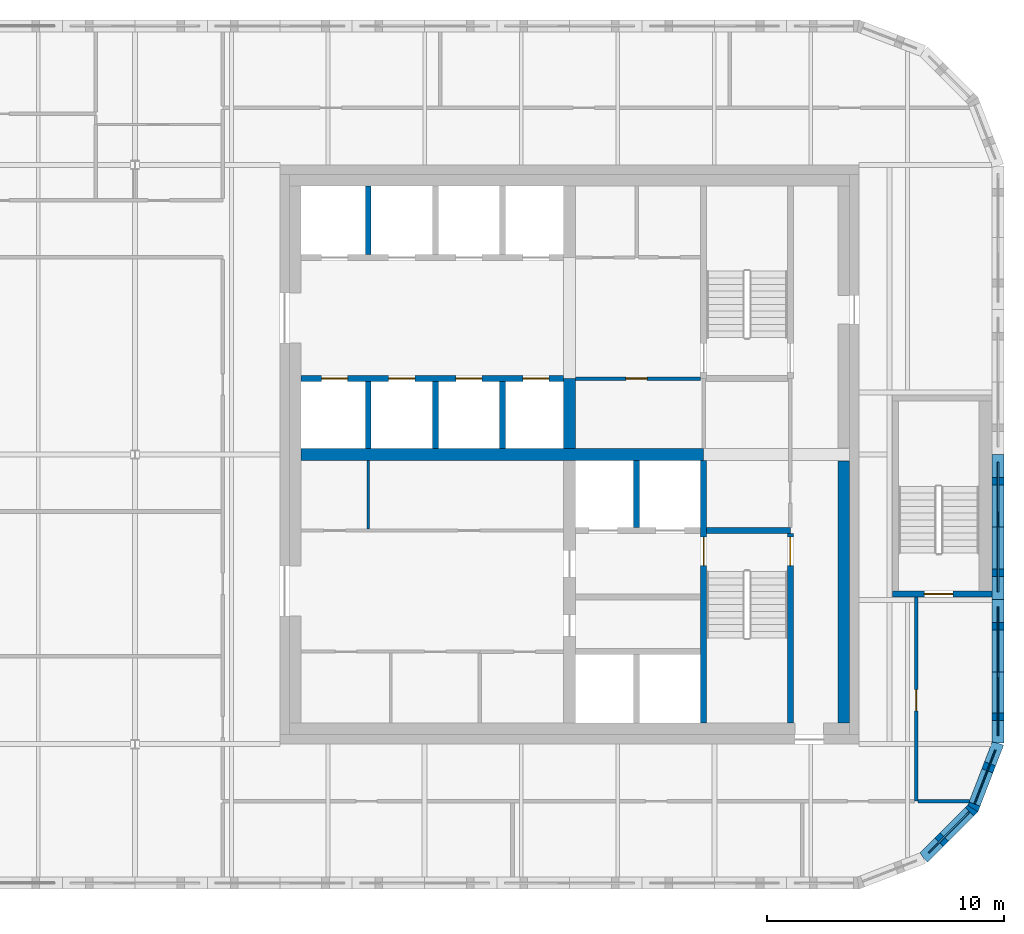
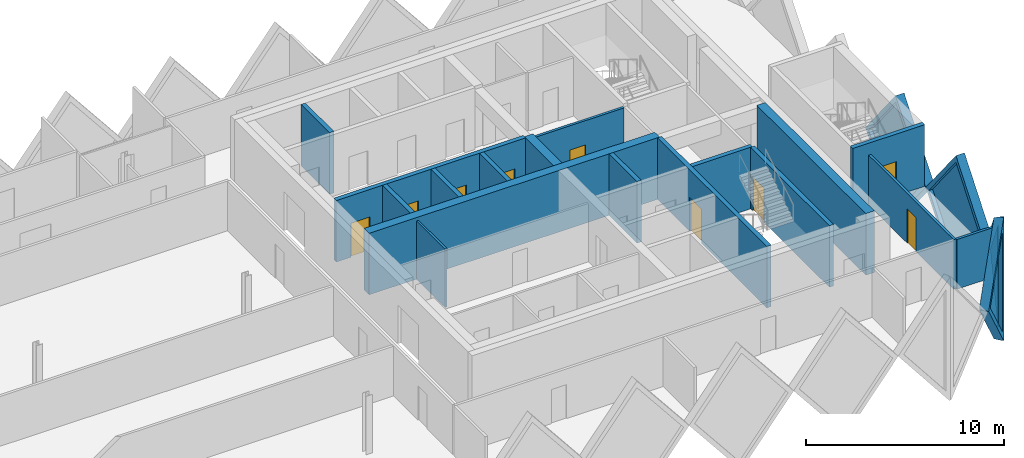
# One storey, part 6 of 10: 21 walls, 9 doors, 4 plates, 13 openings.
"""IFC4 building model written with IfcOpenShell, lengths in metres."""

from ifc_helpers import new_model, si_unit, direction, frame, frame_2d, origin, place, context, subcontext, project, spatial, polyline, rectangle, outline, extrude, faceted_brep, source, transform, mapped, material, layer, layer_set, type_object, element, fill, save


model = new_model("IFC4")

# Units and contexts
model_context = context("Model", 3, precision=1e-05, world=origin(), true_north=direction((0.0, 1.0)))
body_context = subcontext(model_context, "Body", "Model", "MODEL_VIEW")
ifc_project = project(units=[si_unit("LENGTHUNIT", "METRE"), si_unit("AREAUNIT", "SQUARE_METRE"), si_unit("VOLUMEUNIT", "CUBIC_METRE"), si_unit("PLANEANGLEUNIT", "RADIAN"), si_unit("MASSUNIT", "GRAM", prefix="KILO")], contexts=[model_context])

# Site, building, storey
site_placement = place(None, origin())
site = spatial("IfcSite", under=ifc_project, at=site_placement, CompositionType="ELEMENT")
building_placement = place(site_placement, origin())
building = spatial("IfcBuilding", under=site, at=building_placement, Name="Tessera Gate Towers", CompositionType="ELEMENT")
storey_placement = place(building_placement, frame((0.0, 0.0, 244.5)))
storey = spatial("IfcBuildingStorey", under=building, at=storey_placement, Name="L61", CompositionType="ELEMENT", Elevation=244.5)

# Wall, openings, doors
ifc_material_1 = material(Name="Concrete C40/50", Category="concrete")
ifc_layer_1 = layer(ifc_material_1, 0.25)
ifc_layer_set_1 = layer_set([ifc_layer_1], Name="CORE ENCLOSURE WALL 250")
wall_type_1 = type_object("IfcWallType", Name="CORE ENCLOSURE WALL 250", PredefinedType="SOLIDWALL", material=ifc_layer_set_1)
wall_1_placement = place(storey_placement, frame((31.39990234375, 39.800048828125, 0.0), z_axis=(0.0, 0.0, 1.0), x_axis=(1.0, 0.0, 0.0)))
wall_1 = element("IfcWall", 1, at=wall_1_placement, inside=storey, type_object=wall_type_1, Name="L61 shaft and stair enclosure wall", PredefinedType="SOLIDWALL", context=body_context, shape_type="SweptSolid", body=[
    extrude(rectangle(XDim=11.050048828125, YDim=0.25, at=frame_2d((5.52490234375, 0.0))), origin(), (0.0, 0.0, 1.0), 3.800048828125),
])
shared_shape_1 = source(origin(), body_context, "Body", "SweptSolid", [
    extrude(rectangle(XDim=1.10009765625, YDim=2.10009765625, at=frame_2d((0.550048828125, 1.050048828125))), frame((0.0, 0.135009765625, 0.0), z_axis=(0.0, -1.0, 0.0), x_axis=(1.0, 0.0, 0.0)), (0.0, 0.0, 1.0), 0.27001953125),
])
opening_1_placement = place(wall_1_placement, frame((0.862548828125, 0.0, 0.0)))
opening_1 = element("IfcOpeningElement", 2, at=opening_1_placement, cuts=wall_1, Name="Opening LD-HR1", PredefinedType="OPENING", context=body_context, shape_type="MappedRepresentation", body=[
    mapped(shared_shape_1, transform((0.0, 0.0, 0.0), scale=1.0)),
])
opening_2_placement = place(wall_1_placement, frame((3.6875, 0.0, 0.0)))
opening_2 = element("IfcOpeningElement", 3, at=opening_2_placement, cuts=wall_1, Name="Opening LD-HR2", PredefinedType="OPENING", context=body_context, shape_type="MappedRepresentation", body=[
    mapped(shared_shape_1, transform((0.0, 0.0, 0.0), scale=1.0)),
])
opening_3_placement = place(wall_1_placement, frame((6.512451171875, 0.0, 0.0)))
opening_3 = element("IfcOpeningElement", 4, at=opening_3_placement, cuts=wall_1, Name="Opening LD-HR3", PredefinedType="OPENING", context=body_context, shape_type="MappedRepresentation", body=[
    mapped(shared_shape_1, transform((0.0, 0.0, 0.0), scale=1.0)),
])
opening_4_placement = place(wall_1_placement, frame((9.33740234375, 0.0, 0.0)))
opening_4 = element("IfcOpeningElement", 5, at=opening_4_placement, cuts=wall_1, Name="Opening LD-HR4", PredefinedType="OPENING", context=body_context, shape_type="MappedRepresentation", body=[
    mapped(shared_shape_1, transform((0.0, 0.0, 0.0), scale=1.0)),
])
ifc_material_2 = material(Name="Stainless steel", Category="steel")
door_type_1 = type_object("IfcDoorType", Name="CORE DOOR LD 1100x2100", OperationType="DOUBLE_DOOR_SLIDING", PredefinedType="DOOR", material=ifc_material_2)
shared_shape_2 = source(origin(), body_context, "Body", "SweptSolid", [
    extrude(rectangle(XDim=1.10009765625, YDim=2.10009765625, at=frame_2d((0.550048828125, 1.050048828125))), frame((0.0, 0.02490234375, 0.0), z_axis=(0.0, -1.0, 0.0), x_axis=(1.0, 0.0, 0.0)), (0.0, 0.0, 1.0), 0.050048828125),
])
door_1_placement = place(opening_1_placement, origin())
door_1 = element("IfcDoor", 6, at=door_1_placement, inside=storey, type_object=door_type_1, Name="Landing door HR1 L61", OperationType="DOUBLE_DOOR_SLIDING", OverallHeight=2.10009765625, OverallWidth=1.10009765625, PredefinedType="DOOR", context=body_context, shape_type="MappedRepresentation", body=[
    mapped(shared_shape_2, transform((0.0, 0.0, 0.0), scale=1.0)),
])
fill(opening_1, door_1)
door_2_placement = place(opening_2_placement, origin())
door_2 = element("IfcDoor", 7, at=door_2_placement, inside=storey, type_object=door_type_1, Name="Landing door HR2 L61", OperationType="DOUBLE_DOOR_SLIDING", OverallHeight=2.10009765625, OverallWidth=1.10009765625, PredefinedType="DOOR", context=body_context, shape_type="MappedRepresentation", body=[
    mapped(shared_shape_2, transform((0.0, 0.0, 0.0), scale=1.0)),
])
fill(opening_2, door_2)
door_3_placement = place(opening_3_placement, origin())
door_3 = element("IfcDoor", 8, at=door_3_placement, inside=storey, type_object=door_type_1, Name="Landing door HR3 L61", OperationType="DOUBLE_DOOR_SLIDING", OverallHeight=2.10009765625, OverallWidth=1.10009765625, PredefinedType="DOOR", context=body_context, shape_type="MappedRepresentation", body=[
    mapped(shared_shape_2, transform((0.0, 0.0, 0.0), scale=1.0)),
])
fill(opening_3, door_3)
door_4_placement = place(opening_4_placement, origin())
door_4 = element("IfcDoor", 9, at=door_4_placement, inside=storey, type_object=door_type_1, Name="Landing door HR4 L61", OperationType="DOUBLE_DOOR_SLIDING", OverallHeight=2.10009765625, OverallWidth=1.10009765625, PredefinedType="DOOR", context=body_context, shape_type="MappedRepresentation", body=[
    mapped(shared_shape_2, transform((0.0, 0.0, 0.0), scale=1.0)),
])
fill(opening_4, door_4)

# Wall, opening, door
wall_2_placement = place(storey_placement, frame((48.35009765625, 36.35009765625, 0.0), z_axis=(0.0, 0.0, 1.0), x_axis=(0.0, -1.0, 0.0)))
wall_2 = element("IfcWall", 10, at=wall_2_placement, inside=storey, type_object=wall_type_1, Name="L61 shaft and stair enclosure wall", PredefinedType="SOLIDWALL", context=body_context, shape_type="SweptSolid", body=[
    extrude(rectangle(XDim=11.050048828125, YDim=0.25, at=frame_2d((5.52490234375, 0.0))), origin(), (0.0, 0.0, 1.0), 3.800048828125),
])
shared_shape_3 = source(origin(), body_context, "Body", "SweptSolid", [
    extrude(rectangle(XDim=1.199951171875, YDim=2.10009765625, at=frame_2d((0.60009765625, 1.050048828125))), frame((0.0, 0.135009765625, 0.0), z_axis=(0.0, -1.0, 0.0), x_axis=(1.0, 0.0, 0.0)), (0.0, 0.0, 1.0), 0.27001953125),
])
opening_5_placement = place(wall_2_placement, frame((3.22509765625, 0.0, 0.0)))
opening_5 = element("IfcOpeningElement", 11, at=opening_5_placement, cuts=wall_2, Name="Opening SD-ST1-1", PredefinedType="OPENING", context=body_context, shape_type="MappedRepresentation", body=[
    mapped(shared_shape_3, transform((0.0, 0.0, 0.0), scale=1.0)),
])
ifc_material_3 = material(Name="Hollow steel fire door", Category="steel")
door_type_2 = type_object("IfcDoorType", Name="CORE DOOR SD 1200x2100", OperationType="NOTDEFINED", PredefinedType="DOOR", material=ifc_material_3)
shared_shape_4 = source(origin(), body_context, "Body", "SweptSolid", [
    extrude(rectangle(XDim=1.199951171875, YDim=2.10009765625, at=frame_2d((0.60009765625, 1.050048828125))), frame((0.0, 0.02490234375, 0.0), z_axis=(0.0, -1.0, 0.0), x_axis=(1.0, 0.0, 0.0)), (0.0, 0.0, 1.0), 0.050048828125),
])
door_5_placement = place(opening_5_placement, origin())
door_5 = element("IfcDoor", 12, at=door_5_placement, inside=storey, type_object=door_type_2, Name="Stair door", OperationType="SINGLE_SWING_LEFT", OverallHeight=2.10009765625, OverallWidth=1.199951171875, PredefinedType="DOOR", context=body_context, shape_type="MappedRepresentation", body=[
    mapped(shared_shape_4, transform((0.0, 0.0, 0.0), scale=1.0)),
])
fill(opening_5, door_5)

# Wall
wall_3_placement = place(storey_placement, frame((48.47509765625, 33.39990234375, 0.0), z_axis=(0.0, 0.0, 1.0), x_axis=(1.0, 0.0, 0.0)))
element("IfcWall", 13, at=wall_3_placement, inside=storey, type_object=wall_type_1, Name="L61 shaft and stair enclosure wall", PredefinedType="SOLIDWALL", context=body_context, shape_type="SweptSolid", body=[
    extrude(rectangle(XDim=3.52490234375, YDim=0.25, at=frame_2d((1.762451171875, 0.0))), origin(), (0.0, 0.0, 1.0), 3.800048828125),
])

# Wall, opening, door
wall_4_placement = place(storey_placement, frame((52.0, 25.300048828125, 0.0), z_axis=(0.0, 0.0, 1.0), x_axis=(0.0, 1.0, 0.0)))
wall_4 = element("IfcWall", 14, at=wall_4_placement, inside=storey, type_object=wall_type_1, Name="L61 shaft and stair enclosure wall", PredefinedType="SOLIDWALL", context=body_context, shape_type="SweptSolid", body=[
    extrude(rectangle(XDim=7.974853515625, YDim=0.25, at=frame_2d((3.9873046875, 0.0))), origin(), (0.0, 0.0, 1.0), 3.800048828125),
])
opening_6_placement = place(wall_4_placement, frame((6.625, 0.0, 0.0)))
opening_6 = element("IfcOpeningElement", 15, at=opening_6_placement, cuts=wall_4, Name="Opening SD-ST1-2", PredefinedType="OPENING", context=body_context, shape_type="MappedRepresentation", body=[
    mapped(shared_shape_3, transform((0.0, 0.0, 0.0), scale=1.0)),
])
door_6_placement = place(opening_6_placement, origin())
door_6 = element("IfcDoor", 16, at=door_6_placement, inside=storey, type_object=door_type_2, Name="Stair door", OperationType="SINGLE_SWING_RIGHT", OverallHeight=2.10009765625, OverallWidth=1.199951171875, PredefinedType="DOOR", context=body_context, shape_type="MappedRepresentation", body=[
    mapped(shared_shape_4, transform((0.0, 0.0, 0.0), scale=1.0)),
])
fill(opening_6, door_6)

# Walls
for number, where, z_axis, x_axis, name in (
    (17, (34.22509765625, 36.85009765625, 0.0), (0.0, 0.0, 1.0), (0.0, 1.0, 0.0), "L61 shaft and stair enclosure wall"),
    (18, (37.050048828125, 36.85009765625, 0.0), (0.0, 0.0, 1.0), (0.0, 1.0, 0.0), "L61 shaft and stair enclosure wall"),
    (19, (39.875, 36.85009765625, 0.0), (0.0, 0.0, 1.0), (0.0, 1.0, 0.0), "L61 shaft and stair enclosure wall"),
):
    element("IfcWall", number, at=place(storey_placement, frame(where, z_axis=z_axis, x_axis=x_axis)), inside=storey, type_object=wall_type_1, Name=name, PredefinedType="SOLIDWALL", context=body_context, shape_type="SweptSolid", body=[
        extrude(rectangle(XDim=2.824951171875, YDim=0.25, at=frame_2d((1.41259765625, 0.0))), origin(), (0.0, 0.0, 1.0), 3.800048828125),
    ])
wall_5_placement = place(storey_placement, frame((45.52490234375, 33.52490234375, 0.0), z_axis=(0.0, 0.0, 1.0), x_axis=(0.0, 1.0, 0.0)))
element("IfcWall", 20, at=wall_5_placement, inside=storey, type_object=wall_type_1, Name="L61 shaft and stair enclosure wall", PredefinedType="SOLIDWALL", context=body_context, shape_type="SweptSolid", body=[
    extrude(rectangle(XDim=2.8251953125, YDim=0.25, at=frame_2d((1.41259765625, 0.0))), origin(), (0.0, 0.0, 1.0), 3.800048828125),
])
wall_6_placement = place(storey_placement, frame((34.22509765625, 45.02490234375, 0.0), z_axis=(0.0, 0.0, 1.0), x_axis=(0.0, 1.0, 0.0)))
element("IfcWall", 21, at=wall_6_placement, inside=storey, type_object=wall_type_1, Name="L61 shaft and stair enclosure wall", PredefinedType="SOLIDWALL", context=body_context, shape_type="SweptSolid", body=[
    extrude(rectangle(XDim=2.875, YDim=0.25, at=frame_2d((1.4375, 0.0))), origin(), (0.0, 0.0, 1.0), 3.800048828125),
])

# Wall, opening, door
wall_7_placement = place(storey_placement, frame((60.5, 30.72509765625, 0.0), z_axis=(0.0, 0.0, 1.0), x_axis=(-1.0, 0.0, 0.0)))
wall_7 = element("IfcWall", 22, at=wall_7_placement, inside=storey, type_object=wall_type_1, Name="L61 ST5 enclosure wall", PredefinedType="SOLIDWALL", context=body_context, shape_type="SweptSolid", body=[
    extrude(rectangle(XDim=4.199951171875, YDim=0.25, at=frame_2d((2.10009765625, 0.0))), origin(), (0.0, 0.0, 1.0), 3.800048828125),
])
opening_7_placement = place(wall_7_placement, frame((1.64990234375, 0.0, 0.0)))
opening_7 = element("IfcOpeningElement", 23, at=opening_7_placement, cuts=wall_7, Name="Opening SD-ST5-1", PredefinedType="OPENING", context=body_context, shape_type="MappedRepresentation", body=[
    mapped(shared_shape_3, transform((0.0, 0.0, 0.0), scale=1.0)),
])
door_7_placement = place(opening_7_placement, origin())
door_7 = element("IfcDoor", 24, at=door_7_placement, inside=storey, type_object=door_type_2, Name="Stair door", OperationType="SINGLE_SWING_RIGHT", OverallHeight=2.10009765625, OverallWidth=1.199951171875, PredefinedType="DOOR", context=body_context, shape_type="MappedRepresentation", body=[
    mapped(shared_shape_4, transform((0.0, 0.0, 0.0), scale=1.0)),
])
fill(opening_7, door_7)

# Walls
ifc_material_4 = material(Name="Gypsum board on steel studs", Category="steel")
ifc_layer_2 = layer(ifc_material_4, 0.1201171875)
ifc_layer_set_2 = layer_set([ifc_layer_2], Name="CORE PARTITION 120")
wall_type_2 = type_object("IfcWallType", Name="CORE PARTITION 120", PredefinedType="PARTITIONING", material=ifc_layer_set_2)
wall_8_placement = place(storey_placement, frame((34.22509765625, 33.4599609375, 0.0), z_axis=(0.0, 0.0, 1.0), x_axis=(0.0, 1.0, 0.0)))
element("IfcWall", 25, at=wall_8_placement, inside=storey, type_object=wall_type_2, Name="L61 core partition", PredefinedType="PARTITIONING", context=body_context, shape_type="SweptSolid", body=[
    extrude(rectangle(XDim=2.89013671875, YDim=0.1201171875, at=frame_2d((1.445068359375, 0.0))), origin(), (0.0, 0.0, 1.0), 3.60009765625),
])
ifc_material_5 = material(Name="Concrete C40/50", Category="concrete")
ifc_layer_3 = layer(ifc_material_5, 0.5)
ifc_layer_set_3 = layer_set([ifc_layer_3], Name="CORE SPINE WALL 500 C40/50")
wall_type_3 = type_object("IfcWallType", Name="CORE SPINE WALL 500 C40/50", PredefinedType="SHEAR", material=ifc_layer_set_3)
wall_9_placement = place(storey_placement, frame((31.39990234375, 36.60009765625, 0.0), z_axis=(0.0, 0.0, 1.0), x_axis=(1.0, 0.0, 0.0)))
element("IfcWall", 26, at=wall_9_placement, inside=storey, type_object=wall_type_3, Name="Core wall spine L61", PredefinedType="SHEAR", context=body_context, shape_type="SweptSolid", body=[
    extrude(rectangle(XDim=16.9501953125, YDim=0.5, at=frame_2d((8.47509765625, 0.0))), origin(), (0.0, 0.0, 1.0), 3.800048828125),
])
wall_10_placement = place(storey_placement, frame((42.699951171875, 36.85009765625, 0.0), z_axis=(0.0, 0.0, 1.0), x_axis=(0.0, 1.0, 0.0)))
element("IfcWall", 27, at=wall_10_placement, inside=storey, type_object=wall_type_3, Name="Core wall spine L61", PredefinedType="SHEAR", context=body_context, shape_type="SweptSolid", body=[
    extrude(rectangle(XDim=2.949951171875, YDim=0.5, at=frame_2d((1.47509765625, 0.0))), origin(), (0.0, 0.0, 1.0), 3.800048828125),
])
ifc_material_6 = material(Name="Concrete C40/50", Category="concrete")
ifc_layer_4 = layer(ifc_material_6, 0.5)
ifc_layer_set_4 = layer_set([ifc_layer_4], Name="CORE WALL THICKENING 500")
wall_type_4 = type_object("IfcWallType", Name="CORE WALL THICKENING 500", PredefinedType="SOLIDWALL", material=ifc_layer_set_4)
wall_11_placement = place(storey_placement, frame((54.25, 25.300048828125, 0.0), z_axis=(0.0, 0.0, 1.0), x_axis=(0.0, 1.0, 0.0)))
element("IfcWall", 28, at=wall_11_placement, inside=storey, type_object=wall_type_4, Name="Core wall thickening E L61", PredefinedType="SOLIDWALL", context=body_context, shape_type="SweptSolid", body=[
    extrude(rectangle(XDim=11.02001953125, YDim=0.5, at=frame_2d((5.510009765625, 0.0))), origin(), (0.0, 0.0, 1.0), 3.800048828125),
])

# Wall, opening, door
ifc_material_7 = material(Name="Gypsum board on steel studs, mineral wool", Category="steel")
ifc_layer_5 = layer(ifc_material_7, 0.14990234375)
ifc_layer_set_5 = layer_set([ifc_layer_5], Name="CORRIDOR WALL 150")
wall_type_5 = type_object("IfcWallType", Name="CORRIDOR WALL 150", PredefinedType="PARTITIONING", material=ifc_layer_set_5)
wall_12_placement = place(storey_placement, frame((57.300048828125, 30.60009765625, 0.0), z_axis=(0.0, 0.0, 1.0), x_axis=(0.0, -1.0, 0.0)))
wall_12 = element("IfcWall", 29, at=wall_12_placement, inside=storey, type_object=wall_type_5, Name="T1-L61-PW-007", PredefinedType="PARTITIONING", context=body_context, shape_type="SweptSolid", body=[
    extrude(rectangle(XDim=8.60009765625, YDim=0.14990234375, at=frame_2d((4.300048828125, 0.0))), origin(), (0.0, 0.0, 1.0), 3.06689453125),
])
shared_shape_5 = source(origin(), body_context, "Body", "SweptSolid", [
    extrude(rectangle(XDim=0.89990234375, YDim=2.10009765625, at=frame_2d((0.449951171875, 1.050048828125))), frame((0.0, 0.0849609375, 0.0), z_axis=(0.0, -1.0, 0.0), x_axis=(1.0, 0.0, 0.0)), (0.0, 0.0, 1.0), 0.169921875),
])
opening_8_placement = place(wall_12_placement, frame((3.89990234375, 0.0, 0.0)))
opening_8 = element("IfcOpeningElement", 30, at=opening_8_placement, cuts=wall_12, Name="Opening D890FD60-A21-06", PredefinedType="OPENING", context=body_context, shape_type="MappedRepresentation", body=[
    mapped(shared_shape_5, transform((0.0, 0.0, 0.0), scale=1.0)),
])
ifc_material_8 = material(Name="Timber door leaf in steel frame", Category="steel")
door_type_3 = type_object("IfcDoorType", Name="CORRIDOR DOOR 900 FD60", OperationType="NOTDEFINED", PredefinedType="DOOR", material=ifc_material_8)
shared_shape_6 = source(origin(), body_context, "Body", "SweptSolid", [
    extrude(rectangle(XDim=0.89990234375, YDim=2.10009765625, at=frame_2d((0.449951171875, 1.050048828125))), frame((0.0, 0.02490234375, 0.0), z_axis=(0.0, -1.0, 0.0), x_axis=(1.0, 0.0, 0.0)), (0.0, 0.0, 1.0), 0.050048828125),
])
door_8_placement = place(opening_8_placement, origin())
door_8 = element("IfcDoor", 31, at=door_8_placement, inside=storey, type_object=door_type_3, Name="T1-L61-PD-010", OperationType="SINGLE_SWING_RIGHT", OverallHeight=2.10009765625, OverallWidth=0.89990234375, PredefinedType="DOOR", context=body_context, shape_type="MappedRepresentation", body=[
    mapped(shared_shape_6, transform((0.0, 0.0, 0.0), scale=1.0)),
])
fill(opening_8, door_8)

ifc_material_9 = material(Name="Gypsum board on steel studs", Category="steel")
ifc_layer_6 = layer(ifc_material_9, 0.14990234375)
ifc_layer_set_6 = layer_set([ifc_layer_6], Name="SERVICE ROOM WALL 150")
wall_type_6 = type_object("IfcWallType", Name="SERVICE ROOM WALL 150", PredefinedType="PARTITIONING", material=ifc_layer_set_6)
wall_13_placement = place(storey_placement, frame((48.22509765625, 39.800048828125, 0.0), z_axis=(0.0, 0.0, 1.0), x_axis=(-1.0, 0.0, 0.0)))
wall_13 = element("IfcWall", 32, at=wall_13_placement, inside=storey, type_object=wall_type_6, Name="L61 service room wall", PredefinedType="PARTITIONING", context=body_context, shape_type="SweptSolid", body=[
    extrude(rectangle(XDim=5.275146484375, YDim=0.14990234375, at=frame_2d((2.6376953125, 0.0))), origin(), (0.0, 0.0, 1.0), 3.60009765625),
])
opening_9_placement = place(wall_13_placement, frame((2.25, 0.0, 0.0)))
opening_9 = element("IfcOpeningElement", 33, at=opening_9_placement, cuts=wall_13, Name="Opening RD-T1-36-12", PredefinedType="OPENING", context=body_context, shape_type="MappedRepresentation", body=[
    mapped(shared_shape_5, transform((0.0, 0.0, 0.0), scale=1.0)),
])
ifc_material_10 = material(Name="Hollow steel fire door", Category="steel")
door_type_4 = type_object("IfcDoorType", Name="CORE DOOR RD 900x2100", OperationType="NOTDEFINED", PredefinedType="DOOR", material=ifc_material_10)
door_9_placement = place(opening_9_placement, origin())
door_9 = element("IfcDoor", 34, at=door_9_placement, inside=storey, type_object=door_type_4, Name="Core room door", OperationType="SINGLE_SWING_RIGHT", OverallHeight=2.10009765625, OverallWidth=0.89990234375, PredefinedType="DOOR", context=body_context, shape_type="MappedRepresentation", body=[
    mapped(shared_shape_6, transform((0.0, 0.0, 0.0), scale=1.0)),
])
fill(opening_9, door_9)

# Wall
ifc_material_11 = material(Name="Gypsum board on steel studs, mineral wool", Category="steel")
ifc_layer_7 = layer(ifc_material_11, 0.14990234375)
ifc_layer_set_7 = layer_set([ifc_layer_7], Name="TENANCY WALL 150")
wall_type_7 = type_object("IfcWallType", Name="TENANCY WALL 150", PredefinedType="PARTITIONING", material=ifc_layer_set_7)
wall_14_placement = place(storey_placement, frame((57.3759765625, 22.0, 0.0), z_axis=(0.0, 0.0, 1.0), x_axis=(1.0, 0.0, 0.0)))
element("IfcWall", 35, at=wall_14_placement, inside=storey, type_object=wall_type_7, Name="T1-L61-PW-008", PredefinedType="PARTITIONING", context=body_context, shape_type="SweptSolid", body=[
    extrude(rectangle(XDim=2.162353515625, YDim=0.14990234375, at=frame_2d((1.0810546875, 0.0))), origin(), (0.0, 0.0, 1.0), 3.06689453125),
])

# Wall, opening, plate
ifc_material_12 = material(Name="Precast concrete C60/75 white", Category="concrete")
ifc_layer_8 = layer(ifc_material_12, 0.5)
ifc_layer_set_8 = layer_set([ifc_layer_8], Name="TS1 tessera")
wall_type_8 = type_object("IfcWallType", Name="TS1 tessera", PredefinedType="SOLIDWALL", material=ifc_layer_set_8)
shared_shape_7 = source(origin(), body_context, "Body", "Brep", [
    faceted_brep([(3.00341796875, -0.25, 0.0), (6.053466796875, -0.25, 3.800048828125), (3.00341796875, -0.25, 7.60009765625), (0.0, -0.25, 3.800048828125), (0.046630859375, 0.25, 3.85888671875), (3.00341796875, 0.25, 7.60009765625), (6.053466796875, 0.25, 3.800048828125), (3.00341796875, 0.25, 0.0), (0.046630859375, 0.25, 3.7412109375), (0.0, 0.0, 3.800048828125)], [[[0, 1, 2, 3]], [[4, 5, 6, 7, 8]], [[7, 6, 1, 0]], [[6, 5, 2, 1]], [[5, 4, 9, 3, 2]], [[8, 7, 0, 3, 9]], [[8, 9, 4]]]),
])
wall_15_placement = place(storey_placement, frame((60.75, 24.446533203125, -3.800048828125), z_axis=(0.0, 0.0, 1.0), x_axis=(0.0, 1.0, 0.0)))
wall_15 = element("IfcWall", 36, at=wall_15_placement, inside=storey, type_object=wall_type_8, Name="Precast tessera T1 TS1-1064", PredefinedType="SOLIDWALL", context=body_context, shape_type="MappedRepresentation", body=[
    mapped(shared_shape_7, transform((0.0, 0.0, 0.0), scale=1.0)),
])
shared_shape_8 = source(origin(), body_context, "Body", "SweptSolid", [
    extrude(outline(polyline([(3.0048828125, 0.4013671875), (5.73291015625, 3.800048828125), (3.0048828125, 7.19873046875), (0.318603515625, 3.800048828125), (3.0048828125, 0.4013671875)])), frame((0.0, 0.260009765625, 0.0), z_axis=(0.0, -1.0, 0.0), x_axis=(1.0, 0.0, 0.0)), (0.0, 0.0, 1.0), 0.52001953125),
])
opening_10_placement = place(wall_15_placement, origin())
opening_10 = element("IfcOpeningElement", 37, at=opening_10_placement, cuts=wall_15, Name="Opening T1-PL2-2170", PredefinedType="OPENING", context=body_context, shape_type="MappedRepresentation", body=[
    mapped(shared_shape_8, transform((0.0, 0.0, 0.0), scale=1.0)),
])
ifc_material_13 = material(Name="Low-e laminated glass", Category="glass")
ifc_layer_9 = layer(ifc_material_13, 0.06005859375)
ifc_layer_set_9 = layer_set([ifc_layer_9], Name="PL2 rhombic pane")
plate_type = type_object("IfcPlateType", Name="PL2 rhombic pane", PredefinedType="SHEET", material=ifc_layer_set_9)
shared_shape_9 = source(origin(), body_context, "Body", "SweptSolid", [
    extrude(outline(polyline([(3.0048828125, 0.4013671875), (5.73291015625, 3.800048828125), (3.0048828125, 7.19873046875), (0.318603515625, 3.800048828125), (3.0048828125, 0.4013671875)])), frame((0.0, 0.030029296875, 0.0), z_axis=(0.0, -1.0, 0.0), x_axis=(1.0, 0.0, 0.0)), (0.0, 0.0, 1.0), 0.06005859375),
])
plate_1_placement = place(opening_10_placement, origin())
plate_1 = element("IfcPlate", 38, at=plate_1_placement, inside=storey, type_object=plate_type, Name="Glass pane T1 PL2-2170", PredefinedType="SHEET", context=body_context, shape_type="MappedRepresentation", body=[
    mapped(shared_shape_9, transform((0.0, 0.0, 0.0), scale=1.0)),
])
fill(opening_10, plate_1)

shared_shape_10 = source(origin(), body_context, "Body", "SweptSolid", [
    extrude(outline(polyline([(3.050048828125, 0.0), (6.10009765625, 3.800048828125), (3.050048828125, 7.60009765625), (0.0, 3.800048828125), (3.050048828125, 0.0)])), frame((0.0, 0.25, 0.0), z_axis=(0.0, -1.0, 0.0), x_axis=(1.0, 0.0, 0.0)), (0.0, 0.0, 1.0), 0.5),
])
wall_16_placement = place(storey_placement, frame((60.75, 30.5, -3.800048828125), z_axis=(0.0, 0.0, 1.0), x_axis=(0.0, 1.0, 0.0)))
wall_16 = element("IfcWall", 39, at=wall_16_placement, inside=storey, type_object=wall_type_8, Name="Precast tessera T1 TS1-1065", PredefinedType="SOLIDWALL", context=body_context, shape_type="MappedRepresentation", body=[
    mapped(shared_shape_10, transform((0.0, 0.0, 0.0), scale=1.0)),
])
shared_shape_11 = source(origin(), body_context, "Body", "SweptSolid", [
    extrude(outline(polyline([(3.050048828125, 0.3994140625), (5.779541015625, 3.800048828125), (3.050048828125, 7.20068359375), (0.320556640625, 3.800048828125), (3.050048828125, 0.3994140625)])), frame((0.0, 0.260009765625, 0.0), z_axis=(0.0, -1.0, 0.0), x_axis=(1.0, 0.0, 0.0)), (0.0, 0.0, 1.0), 0.52001953125),
])
opening_11_placement = place(wall_16_placement, origin())
opening_11 = element("IfcOpeningElement", 40, at=opening_11_placement, cuts=wall_16, Name="Opening T1-PL2-2171", PredefinedType="OPENING", context=body_context, shape_type="MappedRepresentation", body=[
    mapped(shared_shape_11, transform((0.0, 0.0, 0.0), scale=1.0)),
])
shared_shape_12 = source(origin(), body_context, "Body", "SweptSolid", [
    extrude(outline(polyline([(3.050048828125, 0.3994140625), (5.779541015625, 3.800048828125), (3.050048828125, 7.20068359375), (0.320556640625, 3.800048828125), (3.050048828125, 0.3994140625)])), frame((0.0, 0.030029296875, 0.0), z_axis=(0.0, -1.0, 0.0), x_axis=(1.0, 0.0, 0.0)), (0.0, 0.0, 1.0), 0.06005859375),
])
plate_2_placement = place(opening_11_placement, origin())
plate_2 = element("IfcPlate", 41, at=plate_2_placement, inside=storey, type_object=plate_type, Name="Glass pane T1 PL2-2171", PredefinedType="SHEET", context=body_context, shape_type="MappedRepresentation", body=[
    mapped(shared_shape_12, transform((0.0, 0.0, 0.0), scale=1.0)),
])
fill(opening_11, plate_2)

ifc_material_14 = material(Name="Precast concrete C60/75 white", Category="concrete")
ifc_layer_10 = layer(ifc_material_14, 0.5)
ifc_layer_set_10 = layer_set([ifc_layer_10], Name="TS3 corner tessera")
wall_type_9 = type_object("IfcWallType", Name="TS3 corner tessera", PredefinedType="SOLIDWALL", material=ifc_layer_set_10)
shared_shape_13 = source(origin(), body_context, "Body", "Brep", [
    faceted_brep([(0.052978515625, -0.25, 0.0), (3.00341796875, -0.25, 3.800048828125), (0.052978515625, -0.25, 7.60009765625), (0.0, -0.25, 7.53173828125), (0.0, -0.25, 0.068359375), (0.10595703125, 0.25, 7.531982421875), (2.95703125, 0.25, 3.85986328125), (2.95703125, 0.25, 3.740234375), (0.10595703125, 0.25, 0.068115234375), (3.00341796875, 0.00048828125, 3.800048828125), (0.052978515625, 0.0, 0.0), (0.052978515625, 0.0, 7.60009765625)], [[[0, 1, 2, 3, 4]], [[5, 6, 7, 8]], [[8, 7, 9, 1, 0, 10]], [[6, 5, 11, 2, 1, 9]], [[3, 2, 11]], [[10, 0, 4]], [[8, 10, 4, 3, 11, 5]], [[9, 7, 6]]]),
])
wall_17_placement = place(storey_placement, frame((59.6689453125, 21.644287109375, -3.800048828125), z_axis=(0.0, 0.0, 1.0), x_axis=(0.35992665181, 0.932980602862, 0.0)))
wall_17 = element("IfcWall", 42, at=wall_17_placement, inside=storey, type_object=wall_type_9, Name="Precast corner tessera T1 TS3-1406", PredefinedType="SOLIDWALL", context=body_context, shape_type="MappedRepresentation", body=[
    mapped(shared_shape_13, transform((0.0, 0.0, 0.0), scale=1.0)),
])
shared_shape_14 = source(origin(), body_context, "Body", "SweptSolid", [
    extrude(outline(polyline([(0.2529296875, 0.665283203125), (2.68701171875, 3.800048828125), (0.2529296875, 6.934814453125), (0.2529296875, 0.665283203125)])), frame((0.0, 0.260009765625, 0.0), z_axis=(0.0, -1.0, 0.0), x_axis=(1.0, 0.0, 0.0)), (0.0, 0.0, 1.0), 0.52001953125),
])
opening_12_placement = place(wall_17_placement, origin())
opening_12 = element("IfcOpeningElement", 43, at=opening_12_placement, cuts=wall_17, Name="Opening T1-PL2-2169", PredefinedType="OPENING", context=body_context, shape_type="MappedRepresentation", body=[
    mapped(shared_shape_14, transform((0.0, 0.0, 0.0), scale=1.0)),
])
shared_shape_15 = source(origin(), body_context, "Body", "SweptSolid", [
    extrude(outline(polyline([(0.2529296875, 0.665283203125), (2.68701171875, 3.800048828125), (0.2529296875, 6.934814453125), (0.2529296875, 0.665283203125)])), frame((0.0, 0.030029296875, 0.0), z_axis=(0.0, -1.0, 0.0), x_axis=(1.0, 0.0, 0.0)), (0.0, 0.0, 1.0), 0.06005859375),
])
plate_3_placement = place(opening_12_placement, origin())
plate_3 = element("IfcPlate", 44, at=plate_3_placement, inside=storey, type_object=plate_type, Name="Glass pane T1 PL2-2169", PredefinedType="SHEET", context=body_context, shape_type="MappedRepresentation", body=[
    mapped(shared_shape_15, transform((0.0, 0.0, 0.0), scale=1.0)),
])
fill(opening_12, plate_3)

shared_shape_16 = source(origin(), body_context, "Body", "Brep", [
    faceted_brep([(2.944091796875, -0.25, 0.0), (2.9970703125, -0.25, 0.068115234375), (2.9970703125, -0.25, 7.531982421875), (2.944091796875, -0.25, 7.60009765625), (0.0, -0.25, 3.800048828125), (0.052978515625, 0.25, 3.868408203125), (2.89111328125, 0.25, 7.531982421875), (2.89111328125, 0.25, 0.068115234375), (0.052978515625, 0.25, 3.731689453125), (2.944091796875, 0.000244140625, 0.0), (2.944091796875, 0.000244140625, 7.60009765625), (0.0, 0.0, 3.800048828125)], [[[0, 1, 2, 3, 4]], [[5, 6, 7, 8]], [[1, 0, 9]], [[10, 3, 2]], [[6, 5, 11, 4, 3, 10]], [[8, 7, 9, 0, 4, 11]], [[8, 11, 5]], [[1, 9, 7, 6, 10, 2]]]),
])
wall_18_placement = place(storey_placement, frame((57.606201171875, 19.61181640625, -3.800048828125), z_axis=(0.0, 0.0, 1.0), x_axis=(0.707106781187, 0.707106781187, 0.0)))
wall_18 = element("IfcWall", 45, at=wall_18_placement, inside=storey, type_object=wall_type_9, Name="Precast corner tessera T1 TS3-1405", PredefinedType="SOLIDWALL", context=body_context, shape_type="MappedRepresentation", body=[
    mapped(shared_shape_16, transform((0.0, 0.0, 0.0), scale=1.0)),
])
shared_shape_17 = source(origin(), body_context, "Body", "SweptSolid", [
    extrude(outline(polyline([(2.744140625, 6.933837890625), (0.316162109375, 3.800048828125), (2.744140625, 0.666259765625), (2.744140625, 6.933837890625)])), frame((0.0, 0.260009765625, 0.0), z_axis=(0.0, -1.0, 0.0), x_axis=(1.0, 0.0, 0.0)), (0.0, 0.0, 1.0), 0.52001953125),
])
opening_13_placement = place(wall_18_placement, origin())
opening_13 = element("IfcOpeningElement", 46, at=opening_13_placement, cuts=wall_18, Name="Opening T1-PL2-2168", PredefinedType="OPENING", context=body_context, shape_type="MappedRepresentation", body=[
    mapped(shared_shape_17, transform((0.0, 0.0, 0.0), scale=1.0)),
])
shared_shape_18 = source(origin(), body_context, "Body", "SweptSolid", [
    extrude(outline(polyline([(2.744140625, 6.933837890625), (0.316162109375, 3.800048828125), (2.744140625, 0.666259765625), (2.744140625, 6.933837890625)])), frame((0.0, 0.030029296875, 0.0), z_axis=(0.0, -1.0, 0.0), x_axis=(1.0, 0.0, 0.0)), (0.0, 0.0, 1.0), 0.06005859375),
])
plate_4_placement = place(opening_13_placement, origin())
plate_4 = element("IfcPlate", 47, at=plate_4_placement, inside=storey, type_object=plate_type, Name="Glass pane T1 PL2-2168", PredefinedType="SHEET", context=body_context, shape_type="MappedRepresentation", body=[
    mapped(shared_shape_18, transform((0.0, 0.0, 0.0), scale=1.0)),
])
fill(opening_13, plate_4)

save(model, "model.ifc")
